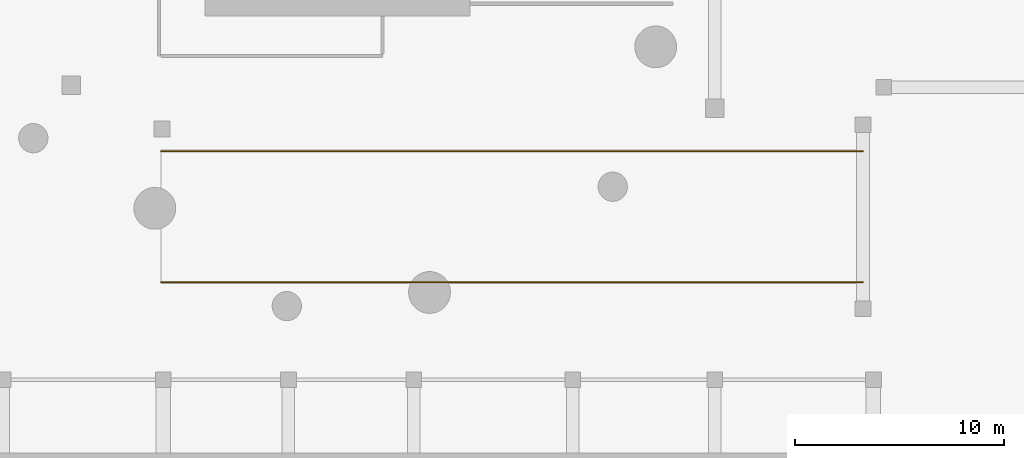
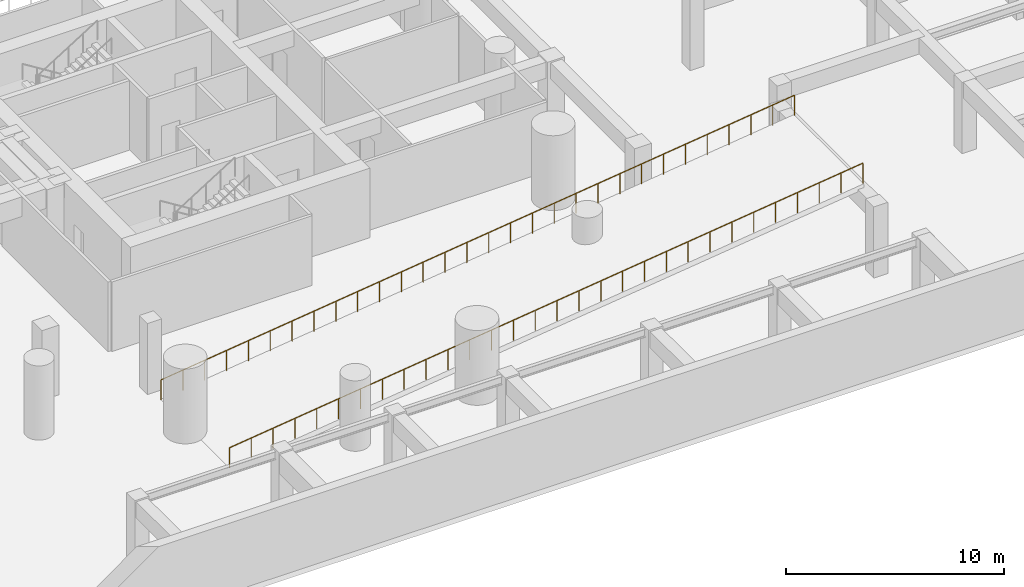
# One storey, part 8 of 10: 2 railings.
"""IFC4 building model written with IfcOpenShell, lengths in metres."""

from ifc_helpers import new_model, si_unit, direction, frame, origin, origin_2d, place, context, subcontext, project, spatial, circle, extrude, source, transform, mapped, material, type_object, element, save


model = new_model("IFC4")

# Units and contexts
model_context = context("Model", 3, precision=1e-05, world=origin(), true_north=direction((0.0, 1.0)))
body_context = subcontext(model_context, "Body", "Model", "MODEL_VIEW")
ifc_project = project(units=[si_unit("LENGTHUNIT", "METRE"), si_unit("AREAUNIT", "SQUARE_METRE"), si_unit("VOLUMEUNIT", "CUBIC_METRE"), si_unit("PLANEANGLEUNIT", "RADIAN"), si_unit("MASSUNIT", "GRAM", prefix="KILO")], contexts=[model_context])

# Site, building, storey
site_placement = place(None, origin())
site = spatial("IfcSite", under=ifc_project, at=site_placement, CompositionType="ELEMENT")
building_placement = place(site_placement, origin())
building = spatial("IfcBuilding", under=site, at=building_placement, Name="Qafzar Sky-Pleat Residences", CompositionType="ELEMENT")
storey_placement = place(building_placement, frame((0.0, 0.0, -4.199951171875)))
storey = spatial("IfcBuildingStorey", under=building, at=storey_placement, Name="B01", CompositionType="ELEMENT", Elevation=-4.199951171875)

# Railings
ifc_material = material(Name="Galvanised and bronze-coated Steel S355 guardrail", Category="steel")
railing_type = type_object("IfcRailingType", Name="RAIL-EXT-1150", PredefinedType="GUARDRAIL", material=ifc_material)
shared_shape = source(origin(), body_context, "Body", "SweptSolid", [
    extrude(circle(Radius=0.02392578125, at=origin_2d()), frame((0.0, 0.0, 1.1259765625), z_axis=(0.992278098557, 0.0, 0.124032959829), x_axis=(0.0, 1.0, 0.0)), (0.0, 0.0, 1.0), 33.861572265625),
    extrude(circle(Radius=0.02099609375, at=origin_2d()), origin(), (0.0, 0.0, 1.0), 1.101806640625),
    extrude(circle(Radius=0.02099609375, at=origin_2d()), frame((1.15869140625, 0.0, 0.144775390625)), (0.0, 0.0, 1.0), 1.101806640625),
    extrude(circle(Radius=0.02099609375, at=origin_2d()), frame((2.317138671875, 0.0, 0.28955078125)), (0.0, 0.0, 1.0), 1.101806640625),
    extrude(circle(Radius=0.02099609375, at=origin_2d()), frame((3.475830078125, 0.0, 0.4345703125)), (0.0, 0.0, 1.0), 1.101806640625),
    extrude(circle(Radius=0.02099609375, at=origin_2d()), frame((4.634521484375, 0.0, 0.579345703125)), (0.0, 0.0, 1.0), 1.101806640625),
    extrude(circle(Radius=0.02099609375, at=origin_2d()), frame((5.793212890625, 0.0, 0.72412109375)), (0.0, 0.0, 1.0), 1.101806640625),
    extrude(circle(Radius=0.02099609375, at=origin_2d()), frame((6.95166015625, 0.0, 0.868896484375)), (0.0, 0.0, 1.0), 1.101806640625),
    extrude(circle(Radius=0.02099609375, at=origin_2d()), frame((8.1103515625, 0.0, 1.013671875)), (0.0, 0.0, 1.0), 1.101806640625),
    extrude(circle(Radius=0.02099609375, at=origin_2d()), frame((9.26904296875, 0.0, 1.15869140625)), (0.0, 0.0, 1.0), 1.101806640625),
    extrude(circle(Radius=0.02099609375, at=origin_2d()), frame((10.427734375, 0.0, 1.303466796875)), (0.0, 0.0, 1.0), 1.101806640625),
    extrude(circle(Radius=0.02099609375, at=origin_2d()), frame((11.586181640625, 0.0, 1.4482421875)), (0.0, 0.0, 1.0), 1.101806640625),
    extrude(circle(Radius=0.02099609375, at=origin_2d()), frame((12.744873046875, 0.0, 1.593017578125)), (0.0, 0.0, 1.0), 1.101806640625),
    extrude(circle(Radius=0.02099609375, at=origin_2d()), frame((13.903564453125, 0.0, 1.73779296875)), (0.0, 0.0, 1.0), 1.101806640625),
    extrude(circle(Radius=0.02099609375, at=origin_2d()), frame((15.06201171875, 0.0, 1.8828125)), (0.0, 0.0, 1.0), 1.101806640625),
    extrude(circle(Radius=0.02099609375, at=origin_2d()), frame((16.220703125, 0.0, 2.027587890625)), (0.0, 0.0, 1.0), 1.101806640625),
    extrude(circle(Radius=0.02099609375, at=origin_2d()), frame((17.37939453125, 0.0, 2.17236328125)), (0.0, 0.0, 1.0), 1.101806640625),
    extrude(circle(Radius=0.02099609375, at=origin_2d()), frame((18.5380859375, 0.0, 2.317138671875)), (0.0, 0.0, 1.0), 1.101806640625),
    extrude(circle(Radius=0.02099609375, at=origin_2d()), frame((19.696533203125, 0.0, 2.462158203125)), (0.0, 0.0, 1.0), 1.101806640625),
    extrude(circle(Radius=0.02099609375, at=origin_2d()), frame((20.855224609375, 0.0, 2.60693359375)), (0.0, 0.0, 1.0), 1.101806640625),
    extrude(circle(Radius=0.02099609375, at=origin_2d()), frame((22.013916015625, 0.0, 2.751708984375)), (0.0, 0.0, 1.0), 1.101806640625),
    extrude(circle(Radius=0.02099609375, at=origin_2d()), frame((23.17236328125, 0.0, 2.896484375)), (0.0, 0.0, 1.0), 1.101806640625),
    extrude(circle(Radius=0.02099609375, at=origin_2d()), frame((24.3310546875, 0.0, 3.041259765625)), (0.0, 0.0, 1.0), 1.101806640625),
    extrude(circle(Radius=0.02099609375, at=origin_2d()), frame((25.48974609375, 0.0, 3.186279296875)), (0.0, 0.0, 1.0), 1.101806640625),
    extrude(circle(Radius=0.02099609375, at=origin_2d()), frame((26.6484375, 0.0, 3.3310546875)), (0.0, 0.0, 1.0), 1.101806640625),
    extrude(circle(Radius=0.02099609375, at=origin_2d()), frame((27.806884765625, 0.0, 3.475830078125)), (0.0, 0.0, 1.0), 1.101806640625),
    extrude(circle(Radius=0.02099609375, at=origin_2d()), frame((28.965576171875, 0.0, 3.62060546875)), (0.0, 0.0, 1.0), 1.101806640625),
    extrude(circle(Radius=0.02099609375, at=origin_2d()), frame((30.124267578125, 0.0, 3.765380859375)), (0.0, 0.0, 1.0), 1.101806640625),
    extrude(circle(Radius=0.02099609375, at=origin_2d()), frame((31.282958984375, 0.0, 3.910400390625)), (0.0, 0.0, 1.0), 1.101806640625),
    extrude(circle(Radius=0.02099609375, at=origin_2d()), frame((32.44140625, 0.0, 4.05517578125)), (0.0, 0.0, 1.0), 1.101806640625),
    extrude(circle(Radius=0.02099609375, at=origin_2d()), frame((33.60009765625, 0.0, 4.199951171875)), (0.0, 0.0, 1.0), 1.101806640625),
])
for number, where, name in (
    (1, (21.89990234375, 4.659912109375, 0.0), "B01 Vehicle Ramp Edge Guardrail S"),
    (2, (21.89990234375, 10.93994140625, 0.0), "B01 Vehicle Ramp Edge Guardrail N"),
):
    element("IfcRailing", number, at=place(storey_placement, frame(where)), inside=storey, type_object=railing_type, Name=name, PredefinedType="GUARDRAIL", context=body_context, shape_type="MappedRepresentation", body=[
        mapped(shared_shape, transform((0.0, 0.0, 0.0), x_axis=(1.0, 0.0, 0.0), y_axis=(0.0, 1.0, 0.0), z_axis=(0.0, 0.0, 1.0), scale=1.0)),
    ])

save(model, "model.ifc")
